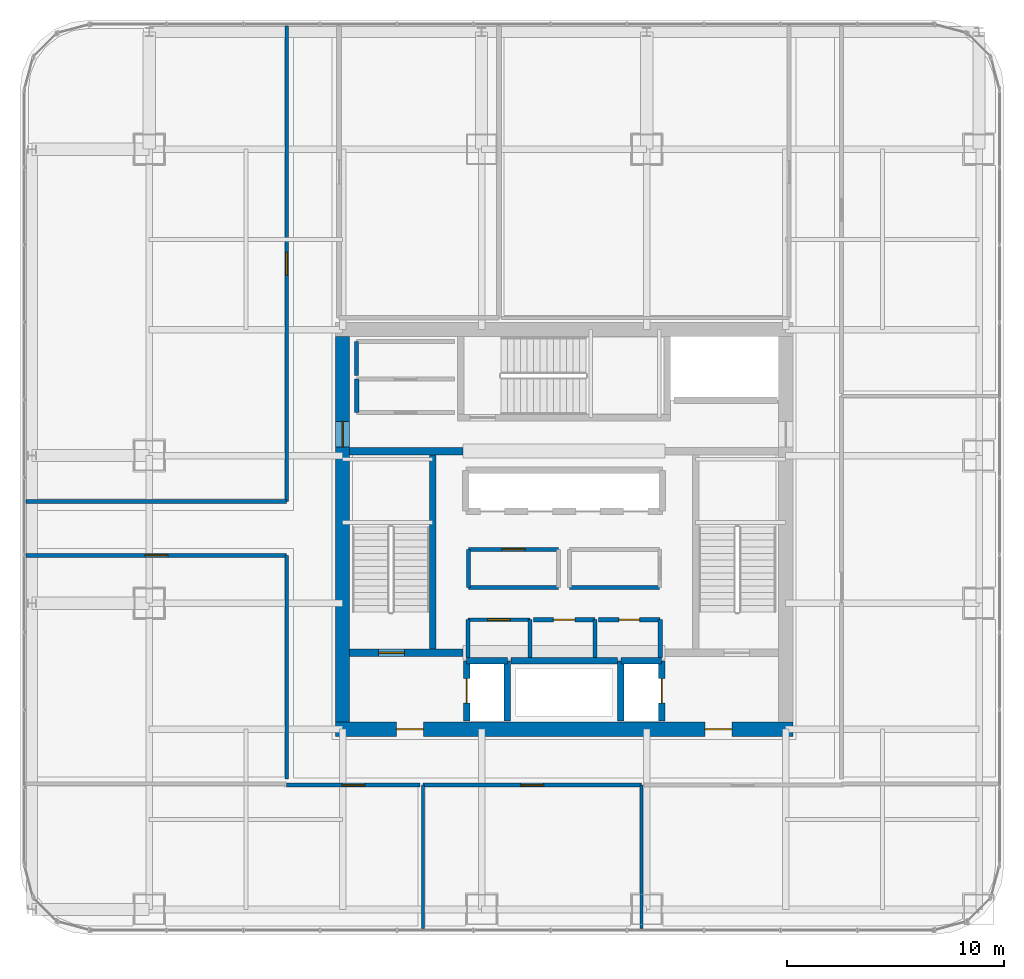
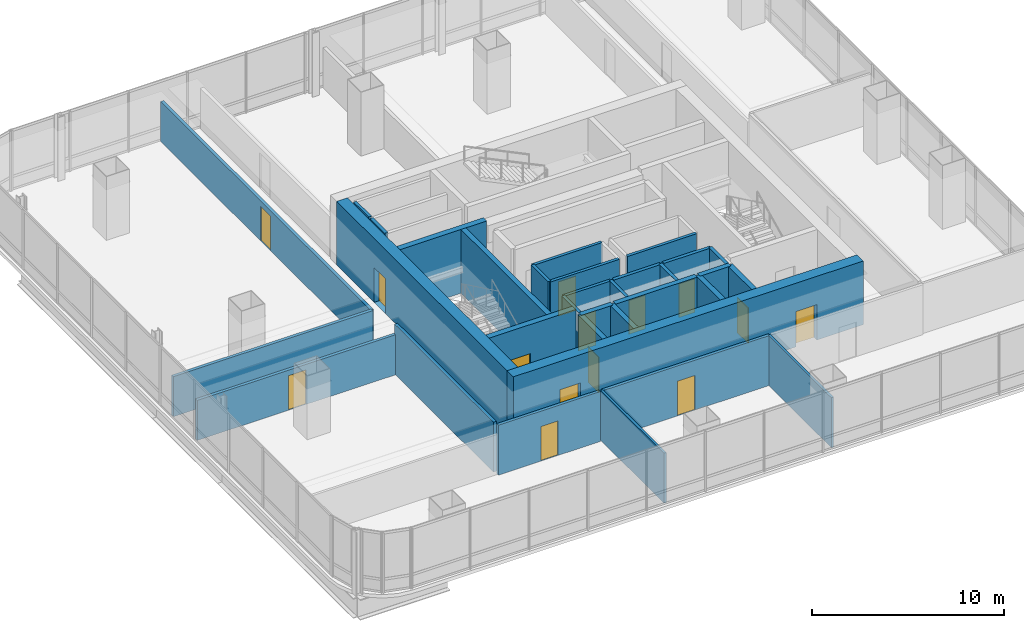
# One storey, part 30 of 37: 33 walls, 14 doors, 14 openings.
"""IFC4 building model written with IfcOpenShell, lengths in metres."""

from ifc_helpers import new_model, si_unit, direction, frame, frame_2d, origin, place, context, subcontext, project, spatial, rectangle, extrude, material, layer, layer_set, type_object, element, fill, save


model = new_model("IFC4")

# Units and contexts
model_context = context("Model", 3, precision=1e-05, world=origin(), true_north=direction((0.0, 1.0)))
body_context = subcontext(model_context, "Body", "Model", "MODEL_VIEW")
ifc_project = project(units=[si_unit("LENGTHUNIT", "METRE"), si_unit("AREAUNIT", "SQUARE_METRE"), si_unit("VOLUMEUNIT", "CUBIC_METRE"), si_unit("PLANEANGLEUNIT", "RADIAN"), si_unit("MASSUNIT", "GRAM", prefix="KILO")], contexts=[model_context])

# Site, building, storey
site_placement = place(None, origin())
site = spatial("IfcSite", under=ifc_project, at=site_placement, CompositionType="ELEMENT")
building_placement = place(site_placement, origin())
building = spatial("IfcBuilding", under=site, at=building_placement, Name="Punatoya Terracotta Tower", CompositionType="ELEMENT")
storey_placement = place(building_placement, frame((0.0, 0.0, 164.10009765625)))
storey = spatial("IfcBuildingStorey", under=building, at=storey_placement, Name="L38", CompositionType="ELEMENT", Elevation=164.10009765625)

# Wall, openings, doors
ifc_material_1 = material(Name="Concrete C60/75", Category="concrete")
ifc_layer_1 = layer(ifc_material_1, 0.64990234375)
ifc_layer_set_1 = layer_set([ifc_layer_1], Name="Concrete C60/75")
wall_type_1 = type_object("IfcWallType", Name="WL-COR-650", PredefinedType="SHEAR", material=ifc_layer_set_1)
wall_1_placement = place(storey_placement, frame((10.52490234375, -9.199951171875, 0.0), z_axis=(0.0, 0.0, 1.0), x_axis=(-1.0, 0.0, 0.0)))
wall_1 = element("IfcWall", 1, at=wall_1_placement, inside=storey, type_object=wall_type_1, Name="L38 Core Shear Wall S", PredefinedType="SHEAR", context=body_context, shape_type="SweptSolid", body=[
    extrude(rectangle(XDim=21.0498046875, YDim=0.64990234375, at=frame_2d((10.52490234375, 0.0))), origin(), (0.0, 0.0, 1.0), 4.0498046875),
])
opening_1_placement = place(wall_1_placement, frame((2.800048828125, 0.0, 0.0)))
opening_1 = element("IfcOpeningElement", 2, at=opening_1_placement, cuts=wall_1, Name="Opening FD-L1", PredefinedType="OPENING", context=body_context, shape_type="SweptSolid", body=[
    extrude(rectangle(XDim=1.25, YDim=2.25, at=frame_2d((0.625, 1.125))), frame((0.0, 0.3349609375, 0.0), z_axis=(0.0, -1.0, 0.0), x_axis=(1.0, 0.0, 0.0)), (0.0, 0.0, 1.0), 0.669921875),
])
opening_2_placement = place(wall_1_placement, frame((17.0, 0.0, 0.0)))
opening_2 = element("IfcOpeningElement", 3, at=opening_2_placement, cuts=wall_1, Name="Opening FD-L1", PredefinedType="OPENING", context=body_context, shape_type="SweptSolid", body=[
    extrude(rectangle(XDim=1.25, YDim=2.25, at=frame_2d((0.625, 1.125))), frame((0.0, 0.3349609375, 0.0), z_axis=(0.0, -1.0, 0.0), x_axis=(1.0, 0.0, 0.0)), (0.0, 0.0, 1.0), 0.669921875),
])
ifc_material_2 = material(Name="Galvanised Steel Smokeproof Fire Door", Category="steel")
door_type_1 = type_object("IfcDoorType", Name="DR-FFL-1250", OperationType="NOTDEFINED", PredefinedType="DOOR", material=ifc_material_2)
door_1_placement = place(opening_1_placement, origin())
door_1 = element("IfcDoor", 4, at=door_1_placement, inside=storey, type_object=door_type_1, Name="L38 East Firefighting Lobby Corridor Fire Door", OperationType="SINGLE_SWING_LEFT", OverallHeight=2.25, OverallWidth=1.25, PredefinedType="DOOR", context=body_context, shape_type="SweptSolid", body=[
    extrude(rectangle(XDim=1.25, YDim=2.25, at=frame_2d((0.625, 1.125))), frame((0.0, 0.02490234375, 0.0), z_axis=(0.0, -1.0, 0.0), x_axis=(1.0, 0.0, 0.0)), (0.0, 0.0, 1.0), 0.050048828125),
])
fill(opening_1, door_1)
door_2_placement = place(opening_2_placement, origin())
door_2 = element("IfcDoor", 5, at=door_2_placement, inside=storey, type_object=door_type_1, Name="L38 West Firefighting Lobby Corridor Fire Door", OperationType="SINGLE_SWING_RIGHT", OverallHeight=2.25, OverallWidth=1.25, PredefinedType="DOOR", context=body_context, shape_type="SweptSolid", body=[
    extrude(rectangle(XDim=1.25, YDim=2.25, at=frame_2d((0.625, 1.125))), frame((0.0, 0.02490234375, 0.0), z_axis=(0.0, -1.0, 0.0), x_axis=(1.0, 0.0, 0.0)), (0.0, 0.0, 1.0), 0.050048828125),
])
fill(opening_2, door_2)

# Wall, opening, door
wall_2_placement = place(storey_placement, frame((-10.199951171875, -8.875, 0.0), z_axis=(0.0, 0.0, 1.0), x_axis=(0.0, 1.0, 0.0)))
wall_2 = element("IfcWall", 6, at=wall_2_placement, inside=storey, type_object=wall_type_1, Name="L38 Core Shear Wall W", PredefinedType="SHEAR", context=body_context, shape_type="SweptSolid", body=[
    extrude(rectangle(XDim=17.75, YDim=0.64990234375, at=frame_2d((8.875, 0.0))), origin(), (0.0, 0.0, 1.0), 4.0498046875),
])
opening_3_placement = place(wall_2_placement, frame((12.6650390625, 0.0, 0.0)))
opening_3 = element("IfcOpeningElement", 7, at=opening_3_placement, cuts=wall_2, Name="Opening SD-01", PredefinedType="OPENING", context=body_context, shape_type="SweptSolid", body=[
    extrude(rectangle(XDim=1.179931640625, YDim=2.199951171875, at=frame_2d((0.58984375, 1.10009765625))), frame((0.0, 0.3349609375, 0.0), z_axis=(0.0, -1.0, 0.0), x_axis=(1.0, 0.0, 0.0)), (0.0, 0.0, 1.0), 0.669921875),
])
ifc_material_3 = material(Name="Galvanised Steel Pressurized Stair Fire Door", Category="steel")
door_type_2 = type_object("IfcDoorType", Name="DR-STR-1180", OperationType="NOTDEFINED", PredefinedType="DOOR", material=ifc_material_3)
door_3_placement = place(opening_3_placement, origin())
door_3 = element("IfcDoor", 8, at=door_3_placement, inside=storey, type_object=door_type_2, Name="L38 Central Lift Lobby West Fire Door", OperationType="SINGLE_SWING_LEFT", OverallHeight=2.199951171875, OverallWidth=1.179931640625, PredefinedType="DOOR", context=body_context, shape_type="SweptSolid", body=[
    extrude(rectangle(XDim=1.179931640625, YDim=2.199951171875, at=frame_2d((0.58984375, 1.10009765625))), frame((0.0, 0.02490234375, 0.0), z_axis=(0.0, -1.0, 0.0), x_axis=(1.0, 0.0, 0.0)), (0.0, 0.0, 1.0), 0.050048828125),
])
fill(opening_3, door_3)

# Wall
ifc_material_4 = material(Name="Gypsum Fireboard + Steel Stud", Category="steel")
ifc_layer_2 = layer(ifc_material_4, 0.179931640625)
ifc_layer_set_2 = layer_set([ifc_layer_2], Name="Gypsum Fireboard + Steel Stud")
wall_type_2 = type_object("IfcWallType", Name="WL-CORR-180", PredefinedType="PARTITIONING", material=ifc_layer_set_2)
wall_3_placement = place(storey_placement, frame((-1.580078125, -5.89990234375, 0.0), z_axis=(0.0, 0.0, 1.0), x_axis=(0.0, 1.0, 0.0)))
element("IfcWall", 9, at=wall_3_placement, inside=storey, type_object=wall_type_2, Name="L38 Core Quiet Wellness Room Partition 01", PredefinedType="PARTITIONING", context=body_context, shape_type="SweptSolid", body=[
    extrude(rectangle(XDim=1.739990234375, YDim=0.179931640625, at=frame_2d((0.8701171875, 0.0))), origin(), (0.0, 0.0, 1.0), 3.829833984375),
])

# Wall, opening, door
wall_4_placement = place(storey_placement, frame((-1.580078125, -4.159912109375, 0.0), z_axis=(0.0, 0.0, 1.0), x_axis=(-1.0, 0.0, 0.0)))
wall_4 = element("IfcWall", 10, at=wall_4_placement, inside=storey, type_object=wall_type_2, Name="L38 Core Quiet Wellness Room Partition 02", PredefinedType="PARTITIONING", context=body_context, shape_type="SweptSolid", body=[
    extrude(rectangle(XDim=2.83984375, YDim=0.179931640625, at=frame_2d((1.419921875, 0.0))), origin(), (0.0, 0.0, 1.0), 3.829833984375),
])
opening_4_placement = place(wall_4_placement, frame((0.89501953125, 0.0, 0.0)))
opening_4 = element("IfcOpeningElement", 11, at=opening_4_placement, cuts=wall_4, Name="Opening OD-01", PredefinedType="OPENING", context=body_context, shape_type="SweptSolid", body=[
    extrude(rectangle(XDim=1.050048828125, YDim=2.199951171875, at=frame_2d((0.52490234375, 1.10009765625))), frame((0.0, 0.099853515625, 0.0), z_axis=(0.0, -1.0, 0.0), x_axis=(1.0, 0.0, 0.0)), (0.0, 0.0, 1.0), 0.199951171875),
])
ifc_material_5 = material(Name="Bengal Teak Solid-Core Leaf")
door_type_3 = type_object("IfcDoorType", Name="DR-OFF-1050", OperationType="NOTDEFINED", PredefinedType="DOOR", material=ifc_material_5)
door_4_placement = place(opening_4_placement, origin())
door_4 = element("IfcDoor", 12, at=door_4_placement, inside=storey, type_object=door_type_3, Name="L38 Quiet Wellness Room Door", OperationType="SINGLE_SWING_LEFT", OverallHeight=2.199951171875, OverallWidth=1.050048828125, PredefinedType="DOOR", context=body_context, shape_type="SweptSolid", body=[
    extrude(rectangle(XDim=1.050048828125, YDim=2.199951171875, at=frame_2d((0.52490234375, 1.10009765625))), frame((0.0, 0.02490234375, 0.0), z_axis=(0.0, -1.0, 0.0), x_axis=(1.0, 0.0, 0.0)), (0.0, 0.0, 1.0), 0.050048828125),
])
fill(opening_4, door_4)

# Wall
wall_5_placement = place(storey_placement, frame((-4.419921875, -4.159912109375, 0.0), z_axis=(0.0, 0.0, 1.0), x_axis=(0.0, -1.0, 0.0)))
element("IfcWall", 13, at=wall_5_placement, inside=storey, type_object=wall_type_2, Name="L38 Core Quiet Wellness Room Partition 03", PredefinedType="PARTITIONING", context=body_context, shape_type="SweptSolid", body=[
    extrude(rectangle(XDim=1.739990234375, YDim=0.179931640625, at=frame_2d((0.8701171875, 0.0))), origin(), (0.0, 0.0, 1.0), 3.829833984375),
])

# Wall, opening, door
wall_6_placement = place(storey_placement, frame((-0.25, -0.919921875, 0.0), z_axis=(0.0, 0.0, 1.0), x_axis=(-1.0, 0.0, 0.0)))
wall_6 = element("IfcWall", 14, at=wall_6_placement, inside=storey, type_object=wall_type_2, Name="L38 West Core Focus Pod Partition 09", PredefinedType="PARTITIONING", context=body_context, shape_type="SweptSolid", body=[
    extrude(rectangle(XDim=4.14990234375, YDim=0.179931640625, at=frame_2d((2.074951171875, 0.0))), origin(), (0.0, 0.0, 1.0), 3.829833984375),
])
opening_5_placement = place(wall_6_placement, frame((1.550048828125, 0.0, 0.0)))
opening_5 = element("IfcOpeningElement", 15, at=opening_5_placement, cuts=wall_6, Name="Opening OD-01", PredefinedType="OPENING", context=body_context, shape_type="SweptSolid", body=[
    extrude(rectangle(XDim=1.050048828125, YDim=2.199951171875, at=frame_2d((0.52490234375, 1.10009765625))), frame((0.0, 0.099853515625, 0.0), z_axis=(0.0, -1.0, 0.0), x_axis=(1.0, 0.0, 0.0)), (0.0, 0.0, 1.0), 0.199951171875),
])
door_5_placement = place(opening_5_placement, origin())
door_5 = element("IfcDoor", 16, at=door_5_placement, inside=storey, type_object=door_type_3, Name="L38 West Focus Pod Door", OperationType="SINGLE_SWING_RIGHT", OverallHeight=2.199951171875, OverallWidth=1.050048828125, PredefinedType="DOOR", context=body_context, shape_type="SweptSolid", body=[
    extrude(rectangle(XDim=1.050048828125, YDim=2.199951171875, at=frame_2d((0.52490234375, 1.10009765625))), frame((0.0, 0.02490234375, 0.0), z_axis=(0.0, -1.0, 0.0), x_axis=(1.0, 0.0, 0.0)), (0.0, 0.0, 1.0), 0.050048828125),
])
fill(opening_5, door_5)

# Walls
wall_7_placement = place(storey_placement, frame((-4.39990234375, -0.919921875, 0.0), z_axis=(0.0, 0.0, 1.0), x_axis=(0.0, -1.0, 0.0)))
element("IfcWall", 17, at=wall_7_placement, inside=storey, type_object=wall_type_2, Name="L38 West Core Focus Pod Partition 10", PredefinedType="PARTITIONING", context=body_context, shape_type="SweptSolid", body=[
    extrude(rectangle(XDim=1.760009765625, YDim=0.179931640625, at=frame_2d((0.8798828125, 0.0))), origin(), (0.0, 0.0, 1.0), 3.829833984375),
])
for number, where, z_axis, x_axis, name in (
    (18, (-4.39990234375, -2.679931640625, 0.0), (0.0, 0.0, 1.0), (1.0, 0.0, 0.0), "L38 West Core Focus Pod Partition 11"),
    (19, (0.25, -2.679931640625, 0.0), (0.0, 0.0, 1.0), (1.0, 0.0, 0.0), "L38 East Core Wellness Room Partition 15"),
):
    element("IfcWall", number, at=place(storey_placement, frame(where, z_axis=z_axis, x_axis=x_axis)), inside=storey, type_object=wall_type_2, Name=name, PredefinedType="PARTITIONING", context=body_context, shape_type="SweptSolid", body=[
        extrude(rectangle(XDim=4.14990234375, YDim=0.179931640625, at=frame_2d((2.074951171875, 0.0))), origin(), (0.0, 0.0, 1.0), 3.829833984375),
    ])
wall_8_placement = place(storey_placement, frame((-9.550048828125, 8.64990234375, 0.0), z_axis=(0.0, 0.0, 1.0), x_axis=(0.0, -1.0, 0.0)))
element("IfcWall", 20, at=wall_8_placement, inside=storey, type_object=wall_type_2, Name="L38 West Core Copy Room Partition 20", PredefinedType="PARTITIONING", context=body_context, shape_type="SweptSolid", body=[
    extrude(rectangle(XDim=1.56982421875, YDim=0.179931640625, at=frame_2d((0.784912109375, 0.0))), origin(), (0.0, 0.0, 1.0), 3.829833984375),
])

# Wall, opening, door
wall_9_placement = place(storey_placement, frame((-6.507080078125, -11.77001953125, 0.0), z_axis=(0.0, 0.0, 1.0), x_axis=(1.0, 0.0, 0.0)))
wall_9 = element("IfcWall", 21, at=wall_9_placement, inside=storey, type_object=wall_type_2, Name="L38 Open-Plan Computational Simulation Laboratory Partition 23", PredefinedType="PARTITIONING", context=body_context, shape_type="SweptSolid", body=[
    extrude(rectangle(XDim=10.066162109375, YDim=0.179931640625, at=frame_2d((5.033203125, 0.0))), origin(), (0.0, 0.0, 1.0), 3.173828125),
])
opening_6_placement = place(wall_9_placement, frame((4.508056640625, 0.0, 0.0)))
opening_6 = element("IfcOpeningElement", 22, at=opening_6_placement, cuts=wall_9, Name="Opening OD-01", PredefinedType="OPENING", context=body_context, shape_type="SweptSolid", body=[
    extrude(rectangle(XDim=1.050048828125, YDim=2.199951171875, at=frame_2d((0.52490234375, 1.10009765625))), frame((0.0, 0.099853515625, 0.0), z_axis=(0.0, -1.0, 0.0), x_axis=(1.0, 0.0, 0.0)), (0.0, 0.0, 1.0), 0.199951171875),
])
door_6_placement = place(opening_6_placement, origin())
door_6 = element("IfcDoor", 23, at=door_6_placement, inside=storey, type_object=door_type_3, Name="L38 Open-Plan Computational Simulation Laboratory Door", OperationType="SINGLE_SWING_RIGHT", OverallHeight=2.199951171875, OverallWidth=1.050048828125, PredefinedType="DOOR", context=body_context, shape_type="SweptSolid", body=[
    extrude(rectangle(XDim=1.050048828125, YDim=2.199951171875, at=frame_2d((0.52490234375, 1.10009765625))), frame((0.0, 0.02490234375, 0.0), z_axis=(0.0, -1.0, 0.0), x_axis=(1.0, 0.0, 0.0)), (0.0, 0.0, 1.0), 0.050048828125),
])
fill(opening_6, door_6)

wall_10_placement = place(storey_placement, frame((-12.77001953125, -11.77001953125, 0.0), z_axis=(0.0, 0.0, 1.0), x_axis=(1.0, 0.0, 0.0)))
wall_10 = element("IfcWall", 24, at=wall_10_placement, inside=storey, type_object=wall_type_2, Name="L38 Open-Plan Cartography Reference Library Partition 25", PredefinedType="PARTITIONING", context=body_context, shape_type="SweptSolid", body=[
    extrude(rectangle(XDim=6.14306640625, YDim=0.179931640625, at=frame_2d((3.071533203125, 0.0))), origin(), (0.0, 0.0, 1.0), 3.173828125),
])
opening_7_placement = place(wall_10_placement, frame((2.54638671875, 0.0, 0.0)))
opening_7 = element("IfcOpeningElement", 25, at=opening_7_placement, cuts=wall_10, Name="Opening OD-01", PredefinedType="OPENING", context=body_context, shape_type="SweptSolid", body=[
    extrude(rectangle(XDim=1.050048828125, YDim=2.199951171875, at=frame_2d((0.52490234375, 1.10009765625))), frame((0.0, 0.099853515625, 0.0), z_axis=(0.0, -1.0, 0.0), x_axis=(1.0, 0.0, 0.0)), (0.0, 0.0, 1.0), 0.199951171875),
])
door_7_placement = place(opening_7_placement, origin())
door_7 = element("IfcDoor", 26, at=door_7_placement, inside=storey, type_object=door_type_3, Name="L38 Open-Plan Cartography Reference Library Door", OperationType="SINGLE_SWING_LEFT", OverallHeight=2.199951171875, OverallWidth=1.050048828125, PredefinedType="DOOR", context=body_context, shape_type="SweptSolid", body=[
    extrude(rectangle(XDim=1.050048828125, YDim=2.199951171875, at=frame_2d((0.52490234375, 1.10009765625))), frame((0.0, 0.02490234375, 0.0), z_axis=(0.0, -1.0, 0.0), x_axis=(1.0, 0.0, 0.0)), (0.0, 0.0, 1.0), 0.050048828125),
])
fill(opening_7, door_7)

wall_11_placement = place(storey_placement, frame((-24.77001953125, -1.199951171875, 0.0), z_axis=(0.0, 0.0, 1.0), x_axis=(1.0, 0.0, 0.0)))
wall_11 = element("IfcWall", 27, at=wall_11_placement, inside=storey, type_object=wall_type_2, Name="L38 Open-Plan Environmental Research Laboratory Partition 28", PredefinedType="PARTITIONING", context=body_context, shape_type="SweptSolid", body=[
    extrude(rectangle(XDim=12.0, YDim=0.179931640625, at=frame_2d((6.0, 0.0))), origin(), (0.0, 0.0, 1.0), 2.5439453125),
])
opening_8_placement = place(wall_11_placement, frame((5.47509765625, 0.0, 0.0)))
opening_8 = element("IfcOpeningElement", 28, at=opening_8_placement, cuts=wall_11, Name="Opening OD-01", PredefinedType="OPENING", context=body_context, shape_type="SweptSolid", body=[
    extrude(rectangle(XDim=1.050048828125, YDim=2.199951171875, at=frame_2d((0.52490234375, 1.10009765625))), frame((0.0, 0.099853515625, 0.0), z_axis=(0.0, -1.0, 0.0), x_axis=(1.0, 0.0, 0.0)), (0.0, 0.0, 1.0), 0.199951171875),
])
door_8_placement = place(opening_8_placement, origin())
door_8 = element("IfcDoor", 29, at=door_8_placement, inside=storey, type_object=door_type_3, Name="L38 Open-Plan Environmental Research Laboratory Door", OperationType="SINGLE_SWING_LEFT", OverallHeight=2.199951171875, OverallWidth=1.050048828125, PredefinedType="DOOR", context=body_context, shape_type="SweptSolid", body=[
    extrude(rectangle(XDim=1.050048828125, YDim=2.199951171875, at=frame_2d((0.52490234375, 1.10009765625))), frame((0.0, 0.02490234375, 0.0), z_axis=(0.0, -1.0, 0.0), x_axis=(1.0, 0.0, 0.0)), (0.0, 0.0, 1.0), 0.050048828125),
])
fill(opening_8, door_8)

# Wall
wall_12_placement = place(storey_placement, frame((-12.77001953125, -1.199951171875, 0.0), z_axis=(0.0, 0.0, 1.0), x_axis=(0.0, -1.0, 0.0)))
element("IfcWall", 30, at=wall_12_placement, inside=storey, type_object=wall_type_2, Name="L38 Open-Plan Environmental Research Laboratory Partition 29", PredefinedType="PARTITIONING", context=body_context, shape_type="SweptSolid", body=[
    extrude(rectangle(XDim=10.2900390625, YDim=0.179931640625, at=frame_2d((5.14501953125, 0.0))), origin(), (0.0, 0.0, 1.0), 3.173828125),
])

# Wall, opening, door
wall_13_placement = place(storey_placement, frame((-12.77001953125, 23.169921875, 0.0), z_axis=(0.0, 0.0, 1.0), x_axis=(0.0, -1.0, 0.0)))
wall_13 = element("IfcWall", 31, at=wall_13_placement, inside=storey, type_object=wall_type_2, Name="L38 Laboratory Staff Pantry Partition 32", PredefinedType="PARTITIONING", context=body_context, shape_type="SweptSolid", body=[
    extrude(rectangle(XDim=21.8798828125, YDim=0.179931640625, at=frame_2d((10.93994140625, 0.0))), origin(), (0.0, 0.0, 1.0), 2.5439453125),
])
opening_9_placement = place(wall_13_placement, frame((10.4150390625, 0.0, 0.0)))
opening_9 = element("IfcOpeningElement", 32, at=opening_9_placement, cuts=wall_13, Name="Opening OD-01", PredefinedType="OPENING", context=body_context, shape_type="SweptSolid", body=[
    extrude(rectangle(XDim=1.050048828125, YDim=2.199951171875, at=frame_2d((0.52490234375, 1.10009765625))), frame((0.0, 0.099853515625, 0.0), z_axis=(0.0, -1.0, 0.0), x_axis=(1.0, 0.0, 0.0)), (0.0, 0.0, 1.0), 0.199951171875),
])
door_9_placement = place(opening_9_placement, origin())
door_9 = element("IfcDoor", 33, at=door_9_placement, inside=storey, type_object=door_type_3, Name="L38 Laboratory Staff Pantry Door", OperationType="SINGLE_SWING_LEFT", OverallHeight=2.199951171875, OverallWidth=1.050048828125, PredefinedType="DOOR", context=body_context, shape_type="SweptSolid", body=[
    extrude(rectangle(XDim=1.050048828125, YDim=2.199951171875, at=frame_2d((0.52490234375, 1.10009765625))), frame((0.0, 0.02490234375, 0.0), z_axis=(0.0, -1.0, 0.0), x_axis=(1.0, 0.0, 0.0)), (0.0, 0.0, 1.0), 0.050048828125),
])
fill(opening_9, door_9)

# Walls
wall_14_placement = place(storey_placement, frame((-12.77001953125, 1.2900390625, 0.0), z_axis=(0.0, 0.0, 1.0), x_axis=(-1.0, 0.0, 0.0)))
element("IfcWall", 34, at=wall_14_placement, inside=storey, type_object=wall_type_2, Name="L38 Laboratory Staff Pantry Partition 33", PredefinedType="PARTITIONING", context=body_context, shape_type="SweptSolid", body=[
    extrude(rectangle(XDim=12.0, YDim=0.179931640625, at=frame_2d((6.0, 0.0))), origin(), (0.0, 0.0, 1.0), 2.5439453125),
])
ifc_material_6 = material(Name="Concrete C40/50", Category="concrete")
ifc_layer_3 = layer(ifc_material_6, 0.199951171875)
ifc_layer_set_3 = layer_set([ifc_layer_3], Name="Concrete C40/50")
wall_type_3 = type_object("IfcWallType", Name="WL-INT-200", PredefinedType="SOLIDWALL", material=ifc_layer_set_3)
wall_15_placement = place(storey_placement, frame((1.419921875, -5.89990234375, 0.0), z_axis=(0.0, 0.0, 1.0), x_axis=(0.0, 1.0, 0.0)))
element("IfcWall", 35, at=wall_15_placement, inside=storey, type_object=wall_type_3, Name="L38 Accessible Universal Washroom Partition 04", PredefinedType="SOLIDWALL", context=body_context, shape_type="SweptSolid", body=[
    extrude(rectangle(XDim=1.739990234375, YDim=0.199951171875, at=frame_2d((0.8701171875, 0.0))), origin(), (0.0, 0.0, 1.0), 3.829833984375),
])

# Wall, opening, door
wall_16_placement = place(storey_placement, frame((1.419921875, -4.159912109375, 0.0), z_axis=(0.0, 0.0, 1.0), x_axis=(-1.0, 0.0, 0.0)))
wall_16 = element("IfcWall", 36, at=wall_16_placement, inside=storey, type_object=wall_type_3, Name="L38 Accessible Universal Washroom Partition 05", PredefinedType="SOLIDWALL", context=body_context, shape_type="SweptSolid", body=[
    extrude(rectangle(XDim=2.83984375, YDim=0.199951171875, at=frame_2d((1.419921875, 0.0))), origin(), (0.0, 0.0, 1.0), 3.829833984375),
])
opening_10_placement = place(wall_16_placement, frame((0.919921875, 0.0, 0.0)))
opening_10 = element("IfcOpeningElement", 37, at=opening_10_placement, cuts=wall_16, Name="Opening AWD-1", PredefinedType="OPENING", context=body_context, shape_type="SweptSolid", body=[
    extrude(rectangle(XDim=1.0, YDim=2.14990234375, at=frame_2d((0.5, 1.074951171875))), frame((0.0, 0.10986328125, 0.0), z_axis=(0.0, -1.0, 0.0), x_axis=(1.0, 0.0, 0.0)), (0.0, 0.0, 1.0), 0.219970703125),
])
ifc_material_7 = material(Name="Bengal Teak Accessible WC Leaf")
door_type_4 = type_object("IfcDoorType", Name="DR-ACC-1000", OperationType="NOTDEFINED", PredefinedType="DOOR", material=ifc_material_7)
door_10_placement = place(opening_10_placement, origin())
door_10 = element("IfcDoor", 38, at=door_10_placement, inside=storey, type_object=door_type_4, Name="L38 Accessible Universal Washroom Door", OperationType="SINGLE_SWING_RIGHT", OverallHeight=2.14990234375, OverallWidth=1.0, PredefinedType="DOOR", context=body_context, shape_type="SweptSolid", body=[
    extrude(rectangle(XDim=1.0, YDim=2.14990234375, at=frame_2d((0.5, 1.074951171875))), frame((0.0, 0.02490234375, 0.0), z_axis=(0.0, -1.0, 0.0), x_axis=(1.0, 0.0, 0.0)), (0.0, 0.0, 1.0), 0.050048828125),
])
fill(opening_10, door_10)

# Wall
wall_17_placement = place(storey_placement, frame((4.419921875, -5.89990234375, 0.0), z_axis=(0.0, 0.0, 1.0), x_axis=(0.0, 1.0, 0.0)))
element("IfcWall", 39, at=wall_17_placement, inside=storey, type_object=wall_type_3, Name="L38 All-Gender Washroom Partition 06", PredefinedType="SOLIDWALL", context=body_context, shape_type="SweptSolid", body=[
    extrude(rectangle(XDim=1.739990234375, YDim=0.199951171875, at=frame_2d((0.8701171875, 0.0))), origin(), (0.0, 0.0, 1.0), 3.829833984375),
])

# Wall, opening, door
wall_18_placement = place(storey_placement, frame((4.419921875, -4.159912109375, 0.0), z_axis=(0.0, 0.0, 1.0), x_axis=(-1.0, 0.0, 0.0)))
wall_18 = element("IfcWall", 40, at=wall_18_placement, inside=storey, type_object=wall_type_3, Name="L38 All-Gender Washroom Partition 07", PredefinedType="SOLIDWALL", context=body_context, shape_type="SweptSolid", body=[
    extrude(rectangle(XDim=2.83984375, YDim=0.199951171875, at=frame_2d((1.419921875, 0.0))), origin(), (0.0, 0.0, 1.0), 3.829833984375),
])
opening_11_placement = place(wall_18_placement, frame((0.945068359375, 0.0, 0.0)))
opening_11 = element("IfcOpeningElement", 41, at=opening_11_placement, cuts=wall_18, Name="Opening WD-01", PredefinedType="OPENING", context=body_context, shape_type="SweptSolid", body=[
    extrude(rectangle(XDim=0.949951171875, YDim=2.14990234375, at=frame_2d((0.47509765625, 1.074951171875))), frame((0.0, 0.10986328125, 0.0), z_axis=(0.0, -1.0, 0.0), x_axis=(1.0, 0.0, 0.0)), (0.0, 0.0, 1.0), 0.219970703125),
])
ifc_material_8 = material(Name="Moisture-Resistant Laminate Timber Leaf", Category="wood")
door_type_5 = type_object("IfcDoorType", Name="DR-WC-950", OperationType="NOTDEFINED", PredefinedType="DOOR", material=ifc_material_8)
door_11_placement = place(opening_11_placement, origin())
door_11 = element("IfcDoor", 42, at=door_11_placement, inside=storey, type_object=door_type_5, Name="L38 All-Gender Washroom Door", OperationType="SINGLE_SWING_LEFT", OverallHeight=2.14990234375, OverallWidth=0.949951171875, PredefinedType="DOOR", context=body_context, shape_type="SweptSolid", body=[
    extrude(rectangle(XDim=0.949951171875, YDim=2.14990234375, at=frame_2d((0.47509765625, 1.074951171875))), frame((0.0, 0.02490234375, 0.0), z_axis=(0.0, -1.0, 0.0), x_axis=(1.0, 0.0, 0.0)), (0.0, 0.0, 1.0), 0.050048828125),
])
fill(opening_11, door_11)

# Walls
wall_19_placement = place(storey_placement, frame((-9.550048828125, 6.919921875, 0.0), z_axis=(0.0, 0.0, 1.0), x_axis=(0.0, -1.0, 0.0)))
element("IfcWall", 43, at=wall_19_placement, inside=storey, type_object=wall_type_3, Name="L38 West Core Tea Pantry Partition 17", PredefinedType="SOLIDWALL", context=body_context, shape_type="SweptSolid", body=[
    extrude(rectangle(XDim=1.5400390625, YDim=0.199951171875, at=frame_2d((0.77001953125, 0.0))), origin(), (0.0, 0.0, 1.0), 3.829833984375),
])
ifc_material_9 = material(Name="Acoustic Gypsum + Steel Stud", Category="steel")
ifc_layer_4 = layer(ifc_material_9, 0.139892578125)
ifc_layer_set_4 = layer_set([ifc_layer_4], Name="Acoustic Gypsum + Steel Stud")
wall_type_4 = type_object("IfcWallType", Name="WL-OFF-140", PredefinedType="PARTITIONING", material=ifc_layer_set_4)
for number, where, z_axis, x_axis, name in (
    (44, (3.55908203125, -11.77001953125, 0.0), (0.0, 0.0, 1.0), (0.0, -1.0, 0.0), "L38 Open-Plan Computational Simulation Laboratory Partition 21"),
    (45, (-6.507080078125, -18.3701171875, 0.0), (0.0, 0.0, 1.0), (0.0, 1.0, 0.0), "L38 Open-Plan Computational Simulation Laboratory Partition 22"),
):
    element("IfcWall", number, at=place(storey_placement, frame(where, z_axis=z_axis, x_axis=x_axis)), inside=storey, type_object=wall_type_4, Name=name, PredefinedType="PARTITIONING", context=body_context, shape_type="SweptSolid", body=[
        extrude(rectangle(XDim=6.60009765625, YDim=0.139892578125, at=frame_2d((3.300048828125, 0.0))), origin(), (0.0, 0.0, 1.0), 3.173828125),
    ])
ifc_layer_5 = layer(ifc_material_6, 0.300048828125)
ifc_layer_set_5 = layer_set([ifc_layer_5], Name="Concrete C40/50")
wall_type_5 = type_object("IfcWallType", Name="WL-SHF-300", PredefinedType="SOLIDWALL", material=ifc_layer_set_5)
wall_20_placement = place(storey_placement, frame((-6.050048828125, -5.5, 0.0), z_axis=(0.0, 0.0, 1.0), x_axis=(0.0, 1.0, 0.0)))
element("IfcWall", 46, at=wall_20_placement, inside=storey, type_object=wall_type_5, Name="L38 Structural Stair Shaft Wall SW-ST1-E", PredefinedType="SOLIDWALL", context=body_context, shape_type="SweptSolid", body=[
    extrude(rectangle(XDim=8.949951171875, YDim=0.300048828125, at=frame_2d((4.47509765625, 0.0))), origin(), (0.0, 0.0, 1.0), 4.0498046875),
])

# Wall, opening, door
wall_21_placement = place(storey_placement, frame((-4.489990234375, -8.820068359375, 0.0), z_axis=(0.0, 0.0, 1.0), x_axis=(0.0, 1.0, 0.0)))
wall_21 = element("IfcWall", 47, at=wall_21_placement, inside=storey, type_object=wall_type_5, Name="L38 FFL-1 Front Hoistway Wall", PredefinedType="SOLIDWALL", context=body_context, shape_type="SweptSolid", body=[
    extrude(rectangle(XDim=2.77001953125, YDim=0.300048828125, at=frame_2d((1.385009765625, 0.0))), origin(), (0.0, 0.0, 1.0), 3.829833984375),
])
opening_12_placement = place(wall_21_placement, frame((0.824951171875, 0.0, 0.0)))
opening_12 = element("IfcOpeningElement", 48, at=opening_12_placement, cuts=wall_21, Name="Opening LD-02", PredefinedType="OPENING", context=body_context, shape_type="SweptSolid", body=[
    extrude(rectangle(XDim=1.1201171875, YDim=2.25, at=frame_2d((0.56005859375, 1.125))), frame((0.0, 0.159912109375, 0.0), z_axis=(0.0, -1.0, 0.0), x_axis=(1.0, 0.0, 0.0)), (0.0, 0.0, 1.0), 0.320068359375),
])
ifc_material_10 = material(Name="Stainless Steel Lift Landing Door", Category="steel")
door_type_6 = type_object("IfcDoorType", Name="DR-LND-1120", OperationType="NOTDEFINED", PredefinedType="DOOR", material=ifc_material_10)
door_12_placement = place(opening_12_placement, origin())
door_12 = element("IfcDoor", 49, at=door_12_placement, inside=storey, type_object=door_type_6, Name="L38 Firefighting Lift FFL-1 Sliding Landing Door", OperationType="SLIDING_TO_LEFT", OverallHeight=2.25, OverallWidth=1.1201171875, PredefinedType="DOOR", context=body_context, shape_type="SweptSolid", body=[
    extrude(rectangle(XDim=1.1201171875, YDim=2.25, at=frame_2d((0.56005859375, 1.125))), frame((0.0, 0.02490234375, 0.0), z_axis=(0.0, -1.0, 0.0), x_axis=(1.0, 0.0, 0.0)), (0.0, 0.0, 1.0), 0.050048828125),
])
fill(opening_12, door_12)

# Walls
wall_22_placement = place(storey_placement, frame((-2.610107421875, -8.820068359375, 0.0), z_axis=(0.0, 0.0, 1.0), x_axis=(0.0, 1.0, 0.0)))
element("IfcWall", 50, at=wall_22_placement, inside=storey, type_object=wall_type_5, Name="L38 FFL-1 Rear Hoistway Wall", PredefinedType="SOLIDWALL", context=body_context, shape_type="SweptSolid", body=[
    extrude(rectangle(XDim=2.77001953125, YDim=0.300048828125, at=frame_2d((1.385009765625, 0.0))), origin(), (0.0, 0.0, 1.0), 3.829833984375),
])
wall_23_placement = place(storey_placement, frame((-4.489990234375, -6.050048828125, 0.0), z_axis=(0.0, 0.0, 1.0), x_axis=(1.0, 0.0, 0.0)))
element("IfcWall", 51, at=wall_23_placement, inside=storey, type_object=wall_type_5, Name="L38 FFL-1 North Hoistway Wall", PredefinedType="SOLIDWALL", context=body_context, shape_type="SweptSolid", body=[
    extrude(rectangle(XDim=1.8798828125, YDim=0.300048828125, at=frame_2d((0.93994140625, 0.0))), origin(), (0.0, 0.0, 1.0), 3.829833984375),
])

# Wall, opening, door
wall_24_placement = place(storey_placement, frame((4.489990234375, -8.820068359375, 0.0), z_axis=(0.0, 0.0, 1.0), x_axis=(0.0, 1.0, 0.0)))
wall_24 = element("IfcWall", 52, at=wall_24_placement, inside=storey, type_object=wall_type_5, Name="L38 FFL-2 Front Hoistway Wall", PredefinedType="SOLIDWALL", context=body_context, shape_type="SweptSolid", body=[
    extrude(rectangle(XDim=2.77001953125, YDim=0.300048828125, at=frame_2d((1.385009765625, 0.0))), origin(), (0.0, 0.0, 1.0), 3.829833984375),
])
opening_13_placement = place(wall_24_placement, frame((0.824951171875, 0.0, 0.0)))
opening_13 = element("IfcOpeningElement", 53, at=opening_13_placement, cuts=wall_24, Name="Opening LD-02", PredefinedType="OPENING", context=body_context, shape_type="SweptSolid", body=[
    extrude(rectangle(XDim=1.1201171875, YDim=2.25, at=frame_2d((0.56005859375, 1.125))), frame((0.0, 0.159912109375, 0.0), z_axis=(0.0, -1.0, 0.0), x_axis=(1.0, 0.0, 0.0)), (0.0, 0.0, 1.0), 0.320068359375),
])
door_13_placement = place(opening_13_placement, origin())
door_13 = element("IfcDoor", 54, at=door_13_placement, inside=storey, type_object=door_type_6, Name="L38 Firefighting Lift FFL-2 Sliding Landing Door", OperationType="SLIDING_TO_RIGHT", OverallHeight=2.25, OverallWidth=1.1201171875, PredefinedType="DOOR", context=body_context, shape_type="SweptSolid", body=[
    extrude(rectangle(XDim=1.1201171875, YDim=2.25, at=frame_2d((0.56005859375, 1.125))), frame((0.0, 0.02490234375, 0.0), z_axis=(0.0, -1.0, 0.0), x_axis=(1.0, 0.0, 0.0)), (0.0, 0.0, 1.0), 0.050048828125),
])
fill(opening_13, door_13)

# Walls
wall_25_placement = place(storey_placement, frame((2.610107421875, -8.820068359375, 0.0), z_axis=(0.0, 0.0, 1.0), x_axis=(0.0, 1.0, 0.0)))
element("IfcWall", 55, at=wall_25_placement, inside=storey, type_object=wall_type_5, Name="L38 FFL-2 Rear Hoistway Wall", PredefinedType="SOLIDWALL", context=body_context, shape_type="SweptSolid", body=[
    extrude(rectangle(XDim=2.77001953125, YDim=0.300048828125, at=frame_2d((1.385009765625, 0.0))), origin(), (0.0, 0.0, 1.0), 3.829833984375),
])
wall_26_placement = place(storey_placement, frame((2.610107421875, -6.050048828125, 0.0), z_axis=(0.0, 0.0, 1.0), x_axis=(1.0, 0.0, 0.0)))
element("IfcWall", 56, at=wall_26_placement, inside=storey, type_object=wall_type_5, Name="L38 FFL-2 North Hoistway Wall", PredefinedType="SOLIDWALL", context=body_context, shape_type="SweptSolid", body=[
    extrude(rectangle(XDim=1.8798828125, YDim=0.300048828125, at=frame_2d((0.93994140625, 0.0))), origin(), (0.0, 0.0, 1.0), 3.829833984375),
])
wall_27_placement = place(storey_placement, frame((-2.449951171875, -6.050048828125, 0.0), z_axis=(0.0, 0.0, 1.0), x_axis=(1.0, 0.0, 0.0)))
element("IfcWall", 57, at=wall_27_placement, inside=storey, type_object=wall_type_5, Name="L38 Observation Shuttle Rear Hoistway Wall", PredefinedType="SOLIDWALL", context=body_context, shape_type="SweptSolid", body=[
    extrude(rectangle(XDim=4.89990234375, YDim=0.300048828125, at=frame_2d((2.449951171875, 0.0))), origin(), (0.0, 0.0, 1.0), 3.829833984375),
])

# Wall, opening, door
ifc_material_11 = material(Name="Concrete C50/60", Category="concrete")
ifc_layer_6 = layer(ifc_material_11, 0.35009765625)
ifc_layer_set_6 = layer_set([ifc_layer_6], Name="Concrete C50/60")
wall_type_6 = type_object("IfcWallType", Name="WL-SHF-350", PredefinedType="SOLIDWALL", material=ifc_layer_set_6)
wall_28_placement = place(storey_placement, frame((-9.875, -5.679931640625, 0.0), z_axis=(0.0, 0.0, 1.0), x_axis=(1.0, 0.0, 0.0)))
wall_28 = element("IfcWall", 58, at=wall_28_placement, inside=storey, type_object=wall_type_6, Name="L38 Core Web Wall CSW-L", PredefinedType="SOLIDWALL", context=body_context, shape_type="SweptSolid", body=[
    extrude(rectangle(XDim=5.22509765625, YDim=0.35009765625, at=frame_2d((2.612548828125, 0.0))), origin(), (0.0, 0.0, 1.0), 4.0498046875),
])
opening_14_placement = place(wall_28_placement, frame((1.3349609375, 0.0, 0.0)))
opening_14 = element("IfcOpeningElement", 59, at=opening_14_placement, cuts=wall_28, Name="Opening SD-01", PredefinedType="OPENING", context=body_context, shape_type="SweptSolid", body=[
    extrude(rectangle(XDim=1.179931640625, YDim=2.199951171875, at=frame_2d((0.58984375, 1.10009765625))), frame((0.0, 0.18505859375, 0.0), z_axis=(0.0, -1.0, 0.0), x_axis=(1.0, 0.0, 0.0)), (0.0, 0.0, 1.0), 0.3701171875),
])
door_14_placement = place(opening_14_placement, origin())
door_14 = element("IfcDoor", 60, at=door_14_placement, inside=storey, type_object=door_type_2, Name="L38 Stair ST-1 Smokeproof Lobby Fire Door", OperationType="SINGLE_SWING_LEFT", OverallHeight=2.199951171875, OverallWidth=1.179931640625, PredefinedType="DOOR", context=body_context, shape_type="SweptSolid", body=[
    extrude(rectangle(XDim=1.179931640625, YDim=2.199951171875, at=frame_2d((0.58984375, 1.10009765625))), frame((0.0, 0.02490234375, 0.0), z_axis=(0.0, -1.0, 0.0), x_axis=(1.0, 0.0, 0.0)), (0.0, 0.0, 1.0), 0.050048828125),
])
fill(opening_14, door_14)

# Wall
wall_29_placement = place(storey_placement, frame((-9.875, 3.60009765625, 0.0), z_axis=(0.0, 0.0, 1.0), x_axis=(1.0, 0.0, 0.0)))
element("IfcWall", 61, at=wall_29_placement, inside=storey, type_object=wall_type_6, Name="L38 Core Web Wall CNW-L", PredefinedType="SOLIDWALL", context=body_context, shape_type="SweptSolid", body=[
    extrude(rectangle(XDim=5.22509765625, YDim=0.35009765625, at=frame_2d((2.612548828125, 0.0))), origin(), (0.0, 0.0, 1.0), 4.0498046875),
])

save(model, "model.ifc")
